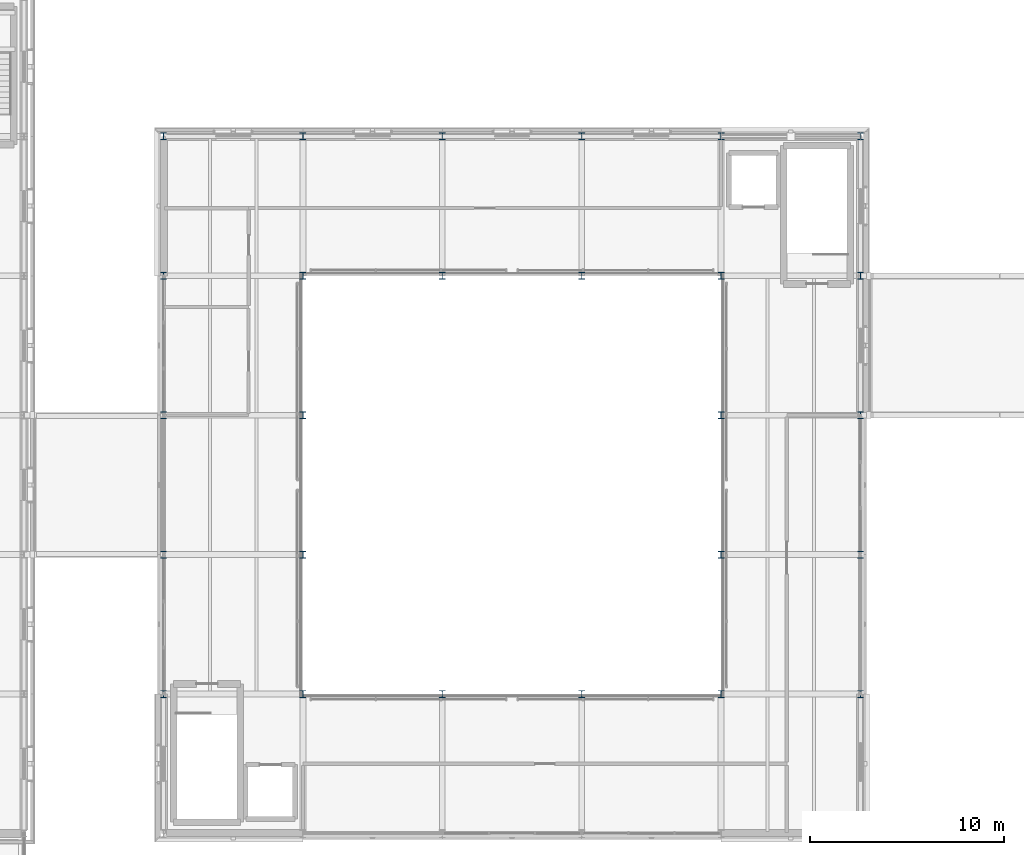
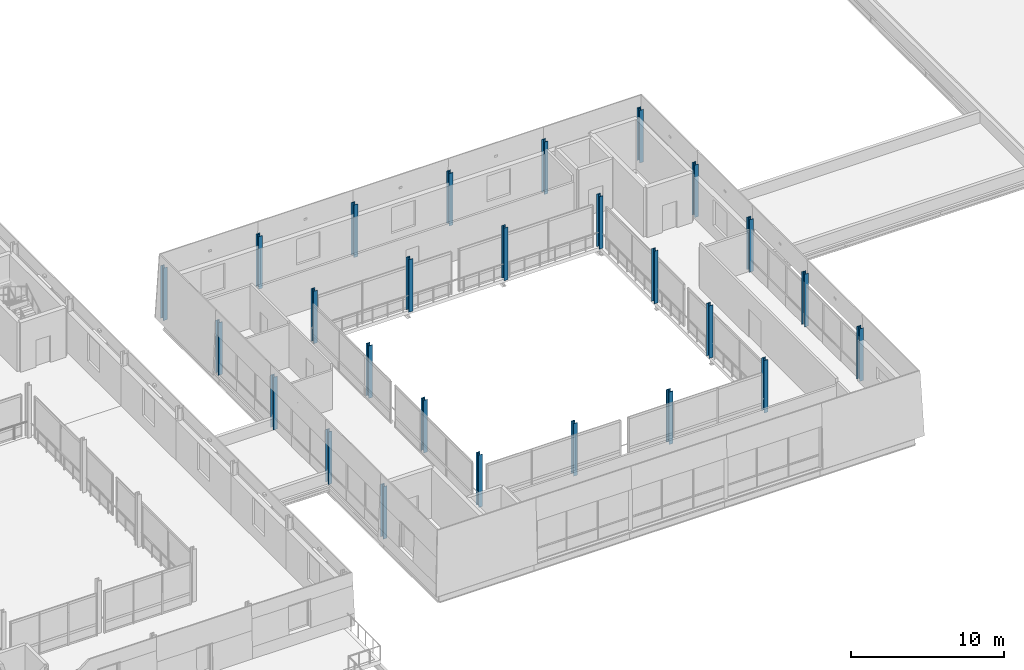
# One storey, part 9 of 91: 26 columns.
"""IFC4 building model written with IfcOpenShell, lengths in metres."""

from ifc_helpers import new_model, si_unit, direction, frame, origin, origin_2d, place, context, subcontext, project, spatial, i_section, extrude, material, material_profile, profile_set, type_object, element, save


model = new_model("IFC4")

# Units and contexts
model_context = context("Model", 3, precision=1e-05, world=origin(), true_north=direction((0.0, 1.0)))
body_context = subcontext(model_context, "Body", "Model", "MODEL_VIEW")
ifc_project = project(units=[si_unit("LENGTHUNIT", "METRE"), si_unit("AREAUNIT", "SQUARE_METRE"), si_unit("VOLUMEUNIT", "CUBIC_METRE"), si_unit("PLANEANGLEUNIT", "RADIAN"), si_unit("MASSUNIT", "GRAM", prefix="KILO")], contexts=[model_context])

# Site, building, storey
site_placement = place(None, origin())
site = spatial("IfcSite", under=ifc_project, at=site_placement, CompositionType="ELEMENT")
building_placement = place(site_placement, origin())
building = spatial("IfcBuilding", under=site, at=building_placement, Name="Narikvali Park Central Library", CompositionType="ELEMENT")
storey_placement = place(building_placement, frame((0.0, 0.0, 14.39990234375)))
storey = spatial("IfcBuildingStorey", under=building, at=storey_placement, Name="L03", CompositionType="ELEMENT", Elevation=14.39990234375)

# Columns
ifc_material = material(Name="Steel S355", Category="steel")
ifc_material_profile = material_profile(ifc_material, i_section(OverallWidth=0.300048828125, OverallDepth=0.360107421875, WebThickness=0.012451171875, FlangeThickness=0.0224609375, FilletRadius=0.027099609375, at=origin_2d()), Name="HEB 360")
ifc_profile_set = profile_set([ifc_material_profile], Name="Steel S355")
column_type = type_object("IfcColumnType", Name="Steel Column HEB360", PredefinedType="COLUMN", material=ifc_profile_set)
for number, where, z_axis, x_axis, name in (
    (1, (64.800048828125, 64.800048828125, 0.0), (0.0, 0.0, 1.0), (1.0, 0.0, 0.0), "V1 L03 Column (64.8,64.8)"),
    (2, (64.800048828125, 72.0, 0.0), (0.0, 0.0, 1.0), (1.0, 0.0, 0.0), "V1 L03 Column (64.8,72.0)"),
    (3, (64.800048828125, 79.199951171875, 0.0), (0.0, 0.0, 1.0), (1.0, 0.0, 0.0), "V1 L03 Column (64.8,79.2)"),
    (4, (64.800048828125, 86.39990234375, 0.0), (0.0, 0.0, 1.0), (1.0, 0.0, 0.0), "V1 L03 Column (64.8,86.4)"),
    (5, (64.800048828125, 93.60009765625, 0.0), (0.0, 0.0, 1.0), (1.0, 0.0, 0.0), "V1 L03 Column (64.8,93.6)"),
    (6, (72.0, 64.800048828125, 0.0), (0.0, 0.0, 1.0), (1.0, 0.0, 0.0), "V1 L03 Column (72.0,64.8)"),
    (7, (72.0, 72.0, 0.0), (0.0, 0.0, 1.0), (1.0, 0.0, 0.0), "V1 L03 Column (72.0,72.0)"),
    (8, (72.0, 79.199951171875, 0.0), (0.0, 0.0, 1.0), (1.0, 0.0, 0.0), "V1 L03 Column (72.0,79.2)"),
    (9, (72.0, 86.39990234375, 0.0), (0.0, 0.0, 1.0), (1.0, 0.0, 0.0), "V1 L03 Column (72.0,86.4)"),
    (10, (72.0, 93.60009765625, 0.0), (0.0, 0.0, 1.0), (1.0, 0.0, 0.0), "V1 L03 Column (72.0,93.6)"),
    (11, (79.199951171875, 64.800048828125, 0.0), (0.0, 0.0, 1.0), (1.0, 0.0, 0.0), "V1 L03 Column (79.2,64.8)"),
    (12, (79.199951171875, 86.39990234375, 0.0), (0.0, 0.0, 1.0), (1.0, 0.0, 0.0), "V1 L03 Column (79.2,86.4)"),
    (13, (79.199951171875, 93.60009765625, 0.0), (0.0, 0.0, 1.0), (1.0, 0.0, 0.0), "V1 L03 Column (79.2,93.6)"),
    (14, (86.39990234375, 64.800048828125, 0.0), (0.0, 0.0, 1.0), (1.0, 0.0, 0.0), "V1 L03 Column (86.4,64.8)"),
    (15, (86.39990234375, 86.39990234375, 0.0), (0.0, 0.0, 1.0), (1.0, 0.0, 0.0), "V1 L03 Column (86.4,86.4)"),
    (16, (86.39990234375, 93.60009765625, 0.0), (0.0, 0.0, 1.0), (1.0, 0.0, 0.0), "V1 L03 Column (86.4,93.6)"),
    (17, (93.60009765625, 64.800048828125, 0.0), (0.0, 0.0, 1.0), (1.0, 0.0, 0.0), "V1 L03 Column (93.6,64.8)"),
    (18, (93.60009765625, 72.0, 0.0), (0.0, 0.0, 1.0), (1.0, 0.0, 0.0), "V1 L03 Column (93.6,72.0)"),
    (19, (93.60009765625, 79.199951171875, 0.0), (0.0, 0.0, 1.0), (1.0, 0.0, 0.0), "V1 L03 Column (93.6,79.2)"),
    (20, (93.60009765625, 86.39990234375, 0.0), (0.0, 0.0, 1.0), (1.0, 0.0, 0.0), "V1 L03 Column (93.6,86.4)"),
    (21, (93.60009765625, 93.60009765625, 0.0), (0.0, 0.0, 1.0), (1.0, 0.0, 0.0), "V1 L03 Column (93.6,93.6)"),
    (22, (100.800048828125, 64.800048828125, 0.0), (0.0, 0.0, 1.0), (1.0, 0.0, 0.0), "V1 L03 Column (100.8,64.8)"),
    (23, (100.800048828125, 72.0, 0.0), (0.0, 0.0, 1.0), (1.0, 0.0, 0.0), "V1 L03 Column (100.8,72.0)"),
    (24, (100.800048828125, 79.199951171875, 0.0), (0.0, 0.0, 1.0), (1.0, 0.0, 0.0), "V1 L03 Column (100.8,79.2)"),
    (25, (100.800048828125, 86.39990234375, 0.0), (0.0, 0.0, 1.0), (1.0, 0.0, 0.0), "V1 L03 Column (100.8,86.4)"),
    (26, (100.800048828125, 93.60009765625, 0.0), (0.0, 0.0, 1.0), (1.0, 0.0, 0.0), "V1 L03 Column (100.8,93.6)"),
):
    element("IfcColumn", number, at=place(storey_placement, frame(where, z_axis=z_axis, x_axis=x_axis)), inside=storey, type_object=column_type, Name=name, PredefinedType="COLUMN", context=body_context, shape_type="SweptSolid", body=[
        extrude(i_section(OverallWidth=0.300048828125, OverallDepth=0.360107421875, WebThickness=0.012451171875, FlangeThickness=0.0224609375, FilletRadius=0.027099609375, at=origin_2d()), origin(), (0.0, 0.0, 1.0), 4.2001953125),
    ])

save(model, "model.ifc")
